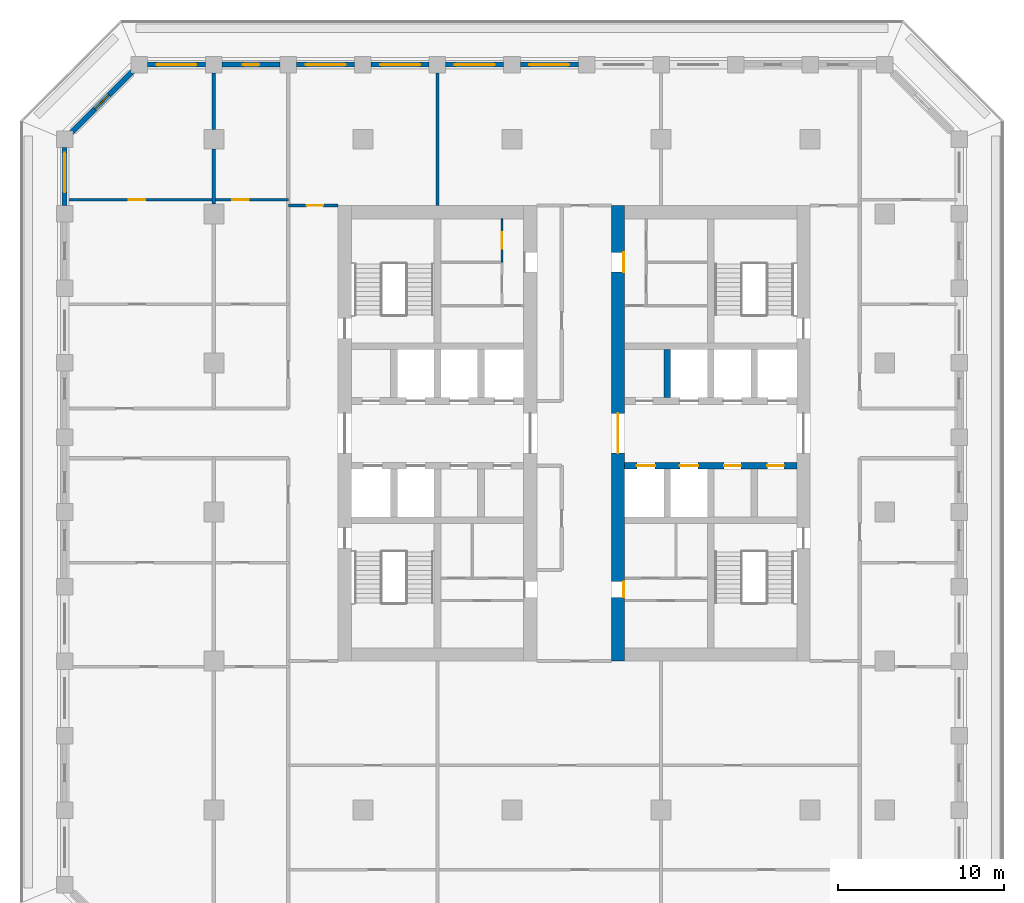
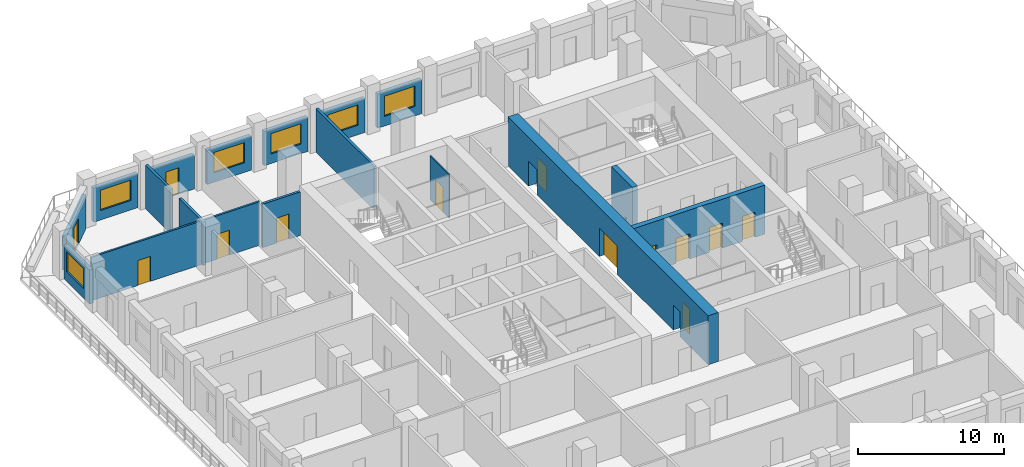
# One storey, part 6 of 16: 17 walls, 13 doors, 6 windows, 19 openings.
"""IFC4 building model written with IfcOpenShell, lengths in metres."""

from ifc_helpers import new_model, si_unit, direction, frame, frame_2d, origin, place, context, subcontext, project, spatial, rectangle, extrude, material, layer, layer_set, type_object, element, fill, save


model = new_model("IFC4")

# Units and contexts
model_context = context("Model", 3, precision=1e-05, world=origin(), true_north=direction((0.0, 1.0)))
body_context = subcontext(model_context, "Body", "Model", "MODEL_VIEW")
ifc_project = project(units=[si_unit("LENGTHUNIT", "METRE"), si_unit("AREAUNIT", "SQUARE_METRE"), si_unit("VOLUMEUNIT", "CUBIC_METRE"), si_unit("PLANEANGLEUNIT", "RADIAN"), si_unit("MASSUNIT", "GRAM", prefix="KILO")], contexts=[model_context])

# Site, building, storey
site_placement = place(None, origin())
site = spatial("IfcSite", under=ifc_project, at=site_placement, CompositionType="ELEMENT")
building_placement = place(site_placement, origin())
building = spatial("IfcBuilding", under=site, at=building_placement, Name="Corbel Stack Research Tower", CompositionType="ELEMENT")
storey_placement = place(building_placement, frame((0.0, 0.0, 177.300048828125)))
storey = spatial("IfcBuildingStorey", under=building, at=storey_placement, Name="L40", CompositionType="ELEMENT", Elevation=177.300048828125)

# Wall, openings, doors
ifc_material_1 = material(Name="Concrete C60/75", Category="concrete")
ifc_layer_1 = layer(ifc_material_1, 0.39990234375)
ifc_layer_set_1 = layer_set([ifc_layer_1], Name="Concrete C60/75")
wall_type_1 = type_object("IfcWallType", Name="CW-400-60", PredefinedType="SHEAR", material=ifc_layer_set_1)
wall_1_placement = place(storey_placement, frame((6.800048828125, 2.800048828125, 0.0), z_axis=(0.0, 0.0, 1.0), x_axis=(1.0, 0.0, 0.0)))
wall_1 = element("IfcWall", 1, at=wall_1_placement, inside=storey, type_object=wall_type_1, Name="East core wall, lobby south L40", PredefinedType="SHEAR", context=body_context, shape_type="SweptSolid", body=[
    extrude(rectangle(XDim=10.39990234375, YDim=0.39990234375, at=frame_2d((5.199951171875, 0.0))), origin(), (0.0, 0.0, 1.0), 4.099853515625),
])
opening_1_placement = place(wall_1_placement, frame((0.737548828125, 0.0, 0.0)))
opening_1 = element("IfcOpeningElement", 2, at=opening_1_placement, cuts=wall_1, Name="Opening LD-FS2", PredefinedType="OPENING", context=body_context, shape_type="SweptSolid", body=[
    extrude(rectangle(XDim=1.10009765625, YDim=2.10009765625, at=frame_2d((0.550048828125, 1.050048828125))), frame((0.0, 0.2099609375, 0.0), z_axis=(0.0, -1.0, 0.0), x_axis=(1.0, 0.0, 0.0)), (0.0, 0.0, 1.0), 0.419921875),
])
opening_2_placement = place(wall_1_placement, frame((3.33740234375, 0.0, 0.0)))
opening_2 = element("IfcOpeningElement", 3, at=opening_2_placement, cuts=wall_1, Name="Opening LD-GL2", PredefinedType="OPENING", context=body_context, shape_type="SweptSolid", body=[
    extrude(rectangle(XDim=1.10009765625, YDim=2.10009765625, at=frame_2d((0.550048828125, 1.050048828125))), frame((0.0, 0.2099609375, 0.0), z_axis=(0.0, -1.0, 0.0), x_axis=(1.0, 0.0, 0.0)), (0.0, 0.0, 1.0), 0.419921875),
])
opening_3_placement = place(wall_1_placement, frame((6.012451171875, 0.0, 0.0)))
opening_3 = element("IfcOpeningElement", 4, at=opening_3_placement, cuts=wall_1, Name="Opening CR-E24-S3", PredefinedType="OPENING", context=body_context, shape_type="SweptSolid", body=[
    extrude(rectangle(XDim=1.0, YDim=2.10009765625, at=frame_2d((0.5, 1.050048828125))), frame((0.0, 0.2099609375, 0.0), z_axis=(0.0, -1.0, 0.0), x_axis=(1.0, 0.0, 0.0)), (0.0, 0.0, 1.0), 0.419921875),
])
opening_4_placement = place(wall_1_placement, frame((8.612548828125, 0.0, 0.0)))
opening_4 = element("IfcOpeningElement", 5, at=opening_4_placement, cuts=wall_1, Name="Opening CR-E24-S4", PredefinedType="OPENING", context=body_context, shape_type="SweptSolid", body=[
    extrude(rectangle(XDim=1.0, YDim=2.10009765625, at=frame_2d((0.5, 1.050048828125))), frame((0.0, 0.2099609375, 0.0), z_axis=(0.0, -1.0, 0.0), x_axis=(1.0, 0.0, 0.0)), (0.0, 0.0, 1.0), 0.419921875),
])
ifc_material_2 = material(Name="Stainless steel landing door", Category="steel")
door_type_1 = type_object("IfcDoorType", Name="Lift landing door 1100 x 2100", OperationType="DOUBLE_DOOR_SLIDING", PredefinedType="DOOR", material=ifc_material_2)
door_1_placement = place(opening_1_placement, origin())
door_1 = element("IfcDoor", 6, at=door_1_placement, inside=storey, type_object=door_type_1, Name="Landing door FS2", OperationType="DOUBLE_DOOR_SLIDING", OverallHeight=2.10009765625, OverallWidth=1.10009765625, PredefinedType="DOOR", context=body_context, shape_type="SweptSolid", body=[
    extrude(rectangle(XDim=1.10009765625, YDim=2.10009765625, at=frame_2d((0.550048828125, 1.050048828125))), frame((0.0, 0.02490234375, 0.0), z_axis=(0.0, -1.0, 0.0), x_axis=(1.0, 0.0, 0.0)), (0.0, 0.0, 1.0), 0.050048828125),
])
fill(opening_1, door_1)
door_2_placement = place(opening_2_placement, origin())
door_2 = element("IfcDoor", 7, at=door_2_placement, inside=storey, type_object=door_type_1, Name="Landing door GL2", OperationType="DOUBLE_DOOR_SLIDING", OverallHeight=2.10009765625, OverallWidth=1.10009765625, PredefinedType="DOOR", context=body_context, shape_type="SweptSolid", body=[
    extrude(rectangle(XDim=1.10009765625, YDim=2.10009765625, at=frame_2d((0.550048828125, 1.050048828125))), frame((0.0, 0.02490234375, 0.0), z_axis=(0.0, -1.0, 0.0), x_axis=(1.0, 0.0, 0.0)), (0.0, 0.0, 1.0), 0.050048828125),
])
fill(opening_2, door_2)
ifc_material_3 = material(Name="Painted steel door", Category="steel")
door_type_2 = type_object("IfcDoorType", Name="Service door 1000 x 2100 FD60 left hand", OperationType="SINGLE_SWING_LEFT", PredefinedType="DOOR", material=ifc_material_3)
door_3_placement = place(opening_3_placement, origin())
door_3 = element("IfcDoor", 8, at=door_3_placement, inside=storey, type_object=door_type_2, Name="Records store door E core", OperationType="SINGLE_SWING_LEFT", OverallHeight=2.10009765625, OverallWidth=1.0, PredefinedType="DOOR", context=body_context, shape_type="SweptSolid", body=[
    extrude(rectangle(XDim=1.0, YDim=2.10009765625, at=frame_2d((0.5, 1.050048828125))), frame((0.0, 0.02490234375, 0.0), z_axis=(0.0, -1.0, 0.0), x_axis=(1.0, 0.0, 0.0)), (0.0, 0.0, 1.0), 0.050048828125),
])
fill(opening_3, door_3)
ifc_material_4 = material(Name="Painted steel door", Category="steel")
door_type_3 = type_object("IfcDoorType", Name="Service door 1000 x 2100 FD60 right hand", OperationType="SINGLE_SWING_RIGHT", PredefinedType="DOOR", material=ifc_material_4)
door_4_placement = place(opening_4_placement, origin())
door_4 = element("IfcDoor", 9, at=door_4_placement, inside=storey, type_object=door_type_3, Name="Electrical room door E core", OperationType="SINGLE_SWING_RIGHT", OverallHeight=2.10009765625, OverallWidth=1.0, PredefinedType="DOOR", context=body_context, shape_type="SweptSolid", body=[
    extrude(rectangle(XDim=1.0, YDim=2.10009765625, at=frame_2d((0.5, 1.050048828125))), frame((0.0, 0.02490234375, 0.0), z_axis=(0.0, -1.0, 0.0), x_axis=(1.0, 0.0, 0.0)), (0.0, 0.0, 1.0), 0.050048828125),
])
fill(opening_4, door_4)

# Wall
wall_2_placement = place(storey_placement, frame((9.375, 6.89990234375, 0.0), z_axis=(0.0, 0.0, 1.0), x_axis=(0.0, 1.0, 0.0)))
element("IfcWall", 10, at=wall_2_placement, inside=storey, type_object=wall_type_1, Name="East core wall, north shaft 1 L40", PredefinedType="SHEAR", context=body_context, shape_type="SweptSolid", body=[
    extrude(rectangle(XDim=2.900146484375, YDim=0.39990234375, at=frame_2d((1.4501953125, 0.0))), origin(), (0.0, 0.0, 1.0), 4.099853515625),
])

# Wall, openings, doors
ifc_material_5 = material(Name="Concrete C60/75", Category="concrete")
ifc_layer_2 = layer(ifc_material_5, 0.800048828125)
ifc_layer_set_2 = layer_set([ifc_layer_2], Name="Concrete C60/75")
wall_type_2 = type_object("IfcWallType", Name="CW-800-60", PredefinedType="SHEAR", material=ifc_layer_set_2)
wall_3_placement = place(storey_placement, frame((6.39990234375, -9.0, 0.0), z_axis=(0.0, 0.0, 1.0), x_axis=(0.0, 1.0, 0.0)))
wall_3 = element("IfcWall", 11, at=wall_3_placement, inside=storey, type_object=wall_type_2, Name="East core wall, west face L40", PredefinedType="SHEAR", context=body_context, shape_type="SweptSolid", body=[
    extrude(rectangle(XDim=27.5, YDim=0.800048828125, at=frame_2d((13.75, 0.0))), origin(), (0.0, 0.0, 1.0), 4.099853515625),
])
opening_5_placement = place(wall_3_placement, frame((12.550048828125, 0.0, 0.0)))
opening_5 = element("IfcOpeningElement", 12, at=opening_5_placement, cuts=wall_3, Name="Opening CD-E-W", PredefinedType="OPENING", context=body_context, shape_type="SweptSolid", body=[
    extrude(rectangle(XDim=2.39990234375, YDim=2.39990234375, at=frame_2d((1.199951171875, 1.199951171875))), frame((0.0, 0.409912109375, 0.0), z_axis=(0.0, -1.0, 0.0), x_axis=(1.0, 0.0, 0.0)), (0.0, 0.0, 1.0), 0.820068359375),
])
opening_6_placement = place(wall_3_placement, frame((3.85009765625, 0.0, 0.0)))
opening_6 = element("IfcOpeningElement", 13, at=opening_6_placement, cuts=wall_3, Name="Opening CR-E24-W1-950", PredefinedType="OPENING", context=body_context, shape_type="SweptSolid", body=[
    extrude(rectangle(XDim=0.949951171875, YDim=2.10009765625, at=frame_2d((0.47509765625, 1.050048828125))), frame((0.0, 0.409912109375, 0.0), z_axis=(0.0, -1.0, 0.0), x_axis=(1.0, 0.0, 0.0)), (0.0, 0.0, 1.0), 0.820068359375),
])
opening_7_placement = place(wall_3_placement, frame((23.47509765625, 0.0, 0.0)))
opening_7 = element("IfcOpeningElement", 14, at=opening_7_placement, cuts=wall_3, Name="Opening CR-E24-R2-1200", PredefinedType="OPENING", context=body_context, shape_type="SweptSolid", body=[
    extrude(rectangle(XDim=1.199951171875, YDim=2.10009765625, at=frame_2d((0.60009765625, 1.050048828125))), frame((0.0, 0.409912109375, 0.0), z_axis=(0.0, -1.0, 0.0), x_axis=(1.0, 0.0, 0.0)), (0.0, 0.0, 1.0), 0.820068359375),
])
ifc_material_6 = material(Name="Painted steel fire door", Category="steel")
door_type_4 = type_object("IfcDoorType", Name="Lobby door pair 2400 x 2400 FD30S", OperationType="DOUBLE_DOOR_DOUBLE_SWING", PredefinedType="DOOR", material=ifc_material_6)
door_5_placement = place(opening_5_placement, origin())
door_5 = element("IfcDoor", 15, at=door_5_placement, inside=storey, type_object=door_type_4, Name="Lift lobby door E core W", OperationType="DOUBLE_DOOR_DOUBLE_SWING", OverallHeight=2.39990234375, OverallWidth=2.39990234375, PredefinedType="DOOR", context=body_context, shape_type="SweptSolid", body=[
    extrude(rectangle(XDim=2.39990234375, YDim=2.39990234375, at=frame_2d((1.199951171875, 1.199951171875))), frame((0.0, 0.02490234375, 0.0), z_axis=(0.0, -1.0, 0.0), x_axis=(1.0, 0.0, 0.0)), (0.0, 0.0, 1.0), 0.050048828125),
])
fill(opening_5, door_5)
ifc_material_7 = material(Name="Painted steel door", Category="steel")
door_type_5 = type_object("IfcDoorType", Name="Service door 1200 x 2100 FD30 left hand", OperationType="SINGLE_SWING_LEFT", PredefinedType="DOOR", material=ifc_material_7)
door_6_placement = place(opening_7_placement, origin())
door_6 = element("IfcDoor", 16, at=door_6_placement, inside=storey, type_object=door_type_5, Name="Service passage door E core", OperationType="SINGLE_SWING_LEFT", OverallHeight=2.10009765625, OverallWidth=1.199951171875, PredefinedType="DOOR", context=body_context, shape_type="SweptSolid", body=[
    extrude(rectangle(XDim=1.199951171875, YDim=2.10009765625, at=frame_2d((0.60009765625, 1.050048828125))), frame((0.0, -0.3251953125, 0.0), z_axis=(0.0, -1.0, 0.0), x_axis=(1.0, 0.0, 0.0)), (0.0, 0.0, 1.0), 0.050048828125),
])
fill(opening_7, door_6)
ifc_material_8 = material(Name="Painted timber door", Category="wood")
door_type_6 = type_object("IfcDoorType", Name="WC door 950 x 2100 right hand", OperationType="SINGLE_SWING_RIGHT", PredefinedType="DOOR", material=ifc_material_8)
door_7_placement = place(opening_6_placement, origin())
door_7 = element("IfcDoor", 17, at=door_7_placement, inside=storey, type_object=door_type_6, Name="WC lobby door E core", OperationType="SINGLE_SWING_RIGHT", OverallHeight=2.10009765625, OverallWidth=0.949951171875, PredefinedType="DOOR", context=body_context, shape_type="SweptSolid", body=[
    extrude(rectangle(XDim=0.949951171875, YDim=2.10009765625, at=frame_2d((0.47509765625, 1.050048828125))), frame((0.0, -0.3251953125, 0.0), z_axis=(0.0, -1.0, 0.0), x_axis=(1.0, 0.0, 0.0)), (0.0, 0.0, 1.0), 0.050048828125),
])
fill(opening_6, door_7)

# Wall, opening, door
ifc_material_9 = material(Name="Gypsum board")
ifc_layer_3 = layer(ifc_material_9, 0.10009765625)
ifc_layer_set_3 = layer_set([ifc_layer_3], Name="Gypsum board")
wall_type_3 = type_object("IfcWallType", Name="Core partition 100", PredefinedType="PARTITIONING", material=ifc_layer_set_3)
wall_4_placement = place(storey_placement, frame((-0.60009765625, 15.074951171875, 0.0), z_axis=(0.0, 0.0, 1.0), x_axis=(0.0, 1.0, 0.0)))
wall_4 = element("IfcWall", 18, at=wall_4_placement, inside=storey, type_object=wall_type_3, Name="Core partition W", PredefinedType="PARTITIONING", context=body_context, shape_type="SweptSolid", body=[
    extrude(rectangle(XDim=2.625, YDim=0.10009765625, at=frame_2d((1.3125, 0.0))), origin(), (0.0, 0.0, 1.0), 3.64990234375),
])
opening_8_placement = place(wall_4_placement, frame((0.8125, 0.0, 0.0)))
opening_8 = element("IfcOpeningElement", 19, at=opening_8_placement, cuts=wall_4, Name="Opening CR-W24-R4-1000", PredefinedType="OPENING", context=body_context, shape_type="SweptSolid", body=[
    extrude(rectangle(XDim=1.0, YDim=2.10009765625, at=frame_2d((0.5, 1.050048828125))), frame((0.0, 0.06005859375, 0.0), z_axis=(0.0, -1.0, 0.0), x_axis=(1.0, 0.0, 0.0)), (0.0, 0.0, 1.0), 0.1201171875),
])
ifc_material_10 = material(Name="Painted steel door", Category="steel")
door_type_7 = type_object("IfcDoorType", Name="Service door 1000 x 2100 FD30 right hand", OperationType="SINGLE_SWING_RIGHT", PredefinedType="DOOR", material=ifc_material_10)
door_8_placement = place(opening_8_placement, origin())
door_8 = element("IfcDoor", 20, at=door_8_placement, inside=storey, type_object=door_type_7, Name="Copy and supply store door W core", OperationType="SINGLE_SWING_RIGHT", OverallHeight=2.10009765625, OverallWidth=1.0, PredefinedType="DOOR", context=body_context, shape_type="SweptSolid", body=[
    extrude(rectangle(XDim=1.0, YDim=2.10009765625, at=frame_2d((0.5, 1.050048828125))), frame((0.0, 0.02490234375, 0.0), z_axis=(0.0, -1.0, 0.0), x_axis=(1.0, 0.0, 0.0)), (0.0, 0.0, 1.0), 0.050048828125),
])
fill(opening_8, door_8)

# Walls
ifc_material_11 = material(Name="Fire-rated gypsum board partition on steel studs", Category="steel")
ifc_layer_4 = layer(ifc_material_11, 0.199951171875)
ifc_layer_set_4 = layer_set([ifc_layer_4], Name="Fire-rated gypsum board partition on steel studs")
wall_type_4 = type_object("IfcWallType", Name="Fire-rated partition 200 EI 60", PredefinedType="PARTITIONING", material=ifc_layer_set_4)
wall_5_placement = place(storey_placement, frame((-18.0, 18.60009765625, 0.0), z_axis=(0.0, 0.0, 1.0), x_axis=(0.0, 1.0, 0.0)))
element("IfcWall", 21, at=wall_5_placement, inside=storey, type_object=wall_type_4, Name="Partition L40-007", PredefinedType="PARTITIONING", context=body_context, shape_type="SweptSolid", body=[
    extrude(rectangle(XDim=3.2998046875, YDim=0.199951171875, at=frame_2d((1.64990234375, 0.0))), origin(), (0.0, 0.0, 1.0), 3.64990234375),
])
wall_6_placement = place(storey_placement, frame((-18.0, 23.10009765625, 0.0), z_axis=(0.0, 0.0, 1.0), x_axis=(0.0, 1.0, 0.0)))
element("IfcWall", 22, at=wall_6_placement, inside=storey, type_object=wall_type_4, Name="Partition L40-008", PredefinedType="PARTITIONING", context=body_context, shape_type="SweptSolid", body=[
    extrude(rectangle(XDim=3.39990234375, YDim=0.199951171875, at=frame_2d((1.699951171875, 0.0))), origin(), (0.0, 0.0, 1.0), 3.64990234375),
])
wall_7_placement = place(storey_placement, frame((-4.5, 18.5, 0.0), z_axis=(0.0, 0.0, 1.0), x_axis=(0.0, 1.0, 0.0)))
element("IfcWall", 23, at=wall_7_placement, inside=storey, type_object=wall_type_4, Name="Partition L40-012", PredefinedType="PARTITIONING", context=body_context, shape_type="SweptSolid", body=[
    extrude(rectangle(XDim=8.0, YDim=0.199951171875, at=frame_2d((4.0, 0.0))), origin(), (0.0, 0.0, 1.0), 3.64990234375),
])

# Wall, opening, door
wall_8_placement = place(storey_placement, frame((-13.5, 18.5, 0.0), z_axis=(0.0, 0.0, 1.0), x_axis=(1.0, 0.0, 0.0)))
wall_8 = element("IfcWall", 24, at=wall_8_placement, inside=storey, type_object=wall_type_4, Name="Partition L40-041", PredefinedType="PARTITIONING", context=body_context, shape_type="SweptSolid", body=[
    extrude(rectangle(XDim=3.0, YDim=0.199951171875, at=frame_2d((1.5, 0.0))), origin(), (0.0, 0.0, 1.0), 3.64990234375),
])
opening_9_placement = place(wall_8_placement, frame((1.10009765625, 0.0, 0.0)))
opening_9 = element("IfcOpeningElement", 25, at=opening_9_placement, cuts=wall_8, Name="Opening B5V2-025", PredefinedType="OPENING", context=body_context, shape_type="SweptSolid", body=[
    extrude(rectangle(XDim=1.0, YDim=2.10009765625, at=frame_2d((0.5, 1.050048828125))), frame((0.0, 0.10986328125, 0.0), z_axis=(0.0, -1.0, 0.0), x_axis=(1.0, 0.0, 0.0)), (0.0, 0.0, 1.0), 0.219970703125),
])
ifc_material_12 = material(Name="Painted steel fire door", Category="steel")
door_type_8 = type_object("IfcDoorType", Name="Fire door FD30S 1000 x 2100", OperationType="NOTDEFINED", PredefinedType="DOOR", material=ifc_material_12)
door_9_placement = place(opening_9_placement, origin())
door_9 = element("IfcDoor", 26, at=door_9_placement, inside=storey, type_object=door_type_8, Name="Door B5V2-025", OperationType="SINGLE_SWING_RIGHT", OverallHeight=2.10009765625, OverallWidth=1.0, PredefinedType="DOOR", context=body_context, shape_type="SweptSolid", body=[
    extrude(rectangle(XDim=1.0, YDim=2.10009765625, at=frame_2d((0.5, 1.050048828125))), frame((0.0, 0.02490234375, 0.0), z_axis=(0.0, -1.0, 0.0), x_axis=(1.0, 0.0, 0.0)), (0.0, 0.0, 1.0), 0.050048828125),
])
fill(opening_9, door_9)

# Wall, openings, doors
ifc_material_13 = material(Name="Gypsum board partition on steel studs", Category="steel")
ifc_layer_5 = layer(ifc_material_13, 0.14990234375)
ifc_layer_set_5 = layer_set([ifc_layer_5], Name="Gypsum board partition on steel studs")
wall_type_5 = type_object("IfcWallType", Name="Partition 150", PredefinedType="PARTITIONING", material=ifc_layer_set_5)
wall_9_placement = place(storey_placement, frame((-26.85009765625, 18.85009765625, 0.0), z_axis=(0.0, 0.0, 1.0), x_axis=(1.0, 0.0, 0.0)))
wall_9 = element("IfcWall", 27, at=wall_9_placement, inside=storey, type_object=wall_type_5, Name="Partition L40-044", PredefinedType="PARTITIONING", context=body_context, shape_type="SweptSolid", body=[
    extrude(rectangle(XDim=13.35009765625, YDim=0.14990234375, at=frame_2d((6.675048828125, 0.0))), origin(), (0.0, 0.0, 1.0), 3.64990234375),
])
opening_10_placement = place(wall_9_placement, frame((3.699951171875, 0.0, 0.0)))
opening_10 = element("IfcOpeningElement", 28, at=opening_10_placement, cuts=wall_9, Name="Opening B5V2-028", PredefinedType="OPENING", context=body_context, shape_type="SweptSolid", body=[
    extrude(rectangle(XDim=1.0, YDim=2.10009765625, at=frame_2d((0.5, 1.050048828125))), frame((0.0, 0.0849609375, 0.0), z_axis=(0.0, -1.0, 0.0), x_axis=(1.0, 0.0, 0.0)), (0.0, 0.0, 1.0), 0.169921875),
])
opening_11_placement = place(wall_9_placement, frame((9.949951171875, 0.0, 0.0)))
opening_11 = element("IfcOpeningElement", 29, at=opening_11_placement, cuts=wall_9, Name="Opening B5V2-029", PredefinedType="OPENING", context=body_context, shape_type="SweptSolid", body=[
    extrude(rectangle(XDim=1.0, YDim=2.10009765625, at=frame_2d((0.5, 1.050048828125))), frame((0.0, 0.0849609375, 0.0), z_axis=(0.0, -1.0, 0.0), x_axis=(1.0, 0.0, 0.0)), (0.0, 0.0, 1.0), 0.169921875),
])
ifc_material_14 = material(Name="Painted timber door", Category="wood")
door_type_9 = type_object("IfcDoorType", Name="Single door 1000 x 2100", OperationType="NOTDEFINED", PredefinedType="DOOR", material=ifc_material_14)
door_10_placement = place(opening_10_placement, origin())
door_10 = element("IfcDoor", 30, at=door_10_placement, inside=storey, type_object=door_type_9, Name="Door B5V2-028", OperationType="SINGLE_SWING_LEFT", OverallHeight=2.10009765625, OverallWidth=1.0, PredefinedType="DOOR", context=body_context, shape_type="SweptSolid", body=[
    extrude(rectangle(XDim=1.0, YDim=2.10009765625, at=frame_2d((0.5, 1.050048828125))), frame((0.0, 0.02490234375, 0.0), z_axis=(0.0, -1.0, 0.0), x_axis=(1.0, 0.0, 0.0)), (0.0, 0.0, 1.0), 0.050048828125),
])
fill(opening_10, door_10)
door_11_placement = place(opening_11_placement, origin())
door_11 = element("IfcDoor", 31, at=door_11_placement, inside=storey, type_object=door_type_9, Name="Door B5V2-029", OperationType="SINGLE_SWING_RIGHT", OverallHeight=2.10009765625, OverallWidth=1.0, PredefinedType="DOOR", context=body_context, shape_type="SweptSolid", body=[
    extrude(rectangle(XDim=1.0, YDim=2.10009765625, at=frame_2d((0.5, 1.050048828125))), frame((0.0, 0.02490234375, 0.0), z_axis=(0.0, -1.0, 0.0), x_axis=(1.0, 0.0, 0.0)), (0.0, 0.0, 1.0), 0.050048828125),
])
fill(opening_11, door_11)

# Wall, opening, window
ifc_material_15 = material(Name="Concrete C45/55", Category="concrete")
ifc_layer_6 = layer(ifc_material_15, 0.300048828125)
ifc_layer_set_6 = layer_set([ifc_layer_6], Name="Concrete C45/55")
wall_type_6 = type_object("IfcWallType", Name="Terracotta-faced concrete wall 300", PredefinedType="SOLIDWALL", material=ifc_layer_set_6)
wall_10_placement = place(storey_placement, frame((0.5, 27.0, 0.0), z_axis=(0.0, 0.0, 1.0), x_axis=(1.0, 0.0, 0.0)))
wall_10 = element("IfcWall", 32, at=wall_10_placement, inside=storey, type_object=wall_type_6, Name="Facade wall L40 N05", PredefinedType="SOLIDWALL", context=body_context, shape_type="SweptSolid", body=[
    extrude(rectangle(XDim=3.5, YDim=0.300048828125, at=frame_2d((1.75, 0.0))), origin(), (0.0, 0.0, 1.0), 2.849853515625),
])
opening_12_placement = place(wall_10_placement, frame((0.550048828125, 0.0, 0.800048828125)))
opening_12 = element("IfcOpeningElement", 33, at=opening_12_placement, cuts=wall_10, Name="Opening W1", PredefinedType="OPENING", context=body_context, shape_type="SweptSolid", body=[
    extrude(rectangle(XDim=2.39990234375, YDim=1.699951171875, at=frame_2d((1.199951171875, 0.85009765625))), frame((0.0, 0.159912109375, 0.0), z_axis=(0.0, -1.0, 0.0), x_axis=(1.0, 0.0, 0.0)), (0.0, 0.0, 1.0), 0.320068359375),
])
ifc_material_16 = material(Name="Aluminium frame, clear double glazing", Category="aluminium")
window_type = type_object("IfcWindowType", Name="Window W1 2400 x 1700", PartitioningType="SINGLE_PANEL", PredefinedType="WINDOW", material=ifc_material_16)
window_1_placement = place(opening_12_placement, origin())
window_1 = element("IfcWindow", 34, at=window_1_placement, inside=storey, type_object=window_type, Name="Window W1 L40 N05", OverallHeight=1.699951171875, OverallWidth=2.39990234375, PartitioningType="SINGLE_PANEL", PredefinedType="WINDOW", context=body_context, shape_type="SweptSolid", body=[
    extrude(rectangle(XDim=2.39990234375, YDim=1.699951171875, at=frame_2d((1.199951171875, 0.85009765625))), frame((0.0, 0.030029296875, 0.0), z_axis=(0.0, -1.0, 0.0), x_axis=(1.0, 0.0, 0.0)), (0.0, 0.0, 1.0), 0.06005859375),
])
fill(opening_12, window_1)

wall_11_placement = place(storey_placement, frame((-4.0, 27.0, 0.0), z_axis=(0.0, 0.0, 1.0), x_axis=(1.0, 0.0, 0.0)))
wall_11 = element("IfcWall", 35, at=wall_11_placement, inside=storey, type_object=wall_type_6, Name="Facade wall L40 N06", PredefinedType="SOLIDWALL", context=body_context, shape_type="SweptSolid", body=[
    extrude(rectangle(XDim=3.5, YDim=0.300048828125, at=frame_2d((1.75, 0.0))), origin(), (0.0, 0.0, 1.0), 2.849853515625),
])
opening_13_placement = place(wall_11_placement, frame((0.550048828125, 0.0, 0.800048828125)))
opening_13 = element("IfcOpeningElement", 36, at=opening_13_placement, cuts=wall_11, Name="Opening W1", PredefinedType="OPENING", context=body_context, shape_type="SweptSolid", body=[
    extrude(rectangle(XDim=2.39990234375, YDim=1.699951171875, at=frame_2d((1.199951171875, 0.85009765625))), frame((0.0, 0.159912109375, 0.0), z_axis=(0.0, -1.0, 0.0), x_axis=(1.0, 0.0, 0.0)), (0.0, 0.0, 1.0), 0.320068359375),
])
window_2_placement = place(opening_13_placement, origin())
window_2 = element("IfcWindow", 37, at=window_2_placement, inside=storey, type_object=window_type, Name="Window W1 L40 N06", OverallHeight=1.699951171875, OverallWidth=2.39990234375, PartitioningType="SINGLE_PANEL", PredefinedType="WINDOW", context=body_context, shape_type="SweptSolid", body=[
    extrude(rectangle(XDim=2.39990234375, YDim=1.699951171875, at=frame_2d((1.199951171875, 0.85009765625))), frame((0.0, 0.030029296875, 0.0), z_axis=(0.0, -1.0, 0.0), x_axis=(1.0, 0.0, 0.0)), (0.0, 0.0, 1.0), 0.06005859375),
])
fill(opening_13, window_2)

wall_12_placement = place(storey_placement, frame((-8.5, 27.0, 0.0), z_axis=(0.0, 0.0, 1.0), x_axis=(1.0, 0.0, 0.0)))
wall_12 = element("IfcWall", 38, at=wall_12_placement, inside=storey, type_object=wall_type_6, Name="Facade wall L40 N07", PredefinedType="SOLIDWALL", context=body_context, shape_type="SweptSolid", body=[
    extrude(rectangle(XDim=3.5, YDim=0.300048828125, at=frame_2d((1.75, 0.0))), origin(), (0.0, 0.0, 1.0), 2.849853515625),
])
opening_14_placement = place(wall_12_placement, frame((0.550048828125, 0.0, 0.800048828125)))
opening_14 = element("IfcOpeningElement", 39, at=opening_14_placement, cuts=wall_12, Name="Opening W1", PredefinedType="OPENING", context=body_context, shape_type="SweptSolid", body=[
    extrude(rectangle(XDim=2.39990234375, YDim=1.699951171875, at=frame_2d((1.199951171875, 0.85009765625))), frame((0.0, 0.159912109375, 0.0), z_axis=(0.0, -1.0, 0.0), x_axis=(1.0, 0.0, 0.0)), (0.0, 0.0, 1.0), 0.320068359375),
])
window_3_placement = place(opening_14_placement, origin())
window_3 = element("IfcWindow", 40, at=window_3_placement, inside=storey, type_object=window_type, Name="Window W1 L40 N07", OverallHeight=1.699951171875, OverallWidth=2.39990234375, PartitioningType="SINGLE_PANEL", PredefinedType="WINDOW", context=body_context, shape_type="SweptSolid", body=[
    extrude(rectangle(XDim=2.39990234375, YDim=1.699951171875, at=frame_2d((1.199951171875, 0.85009765625))), frame((0.0, 0.030029296875, 0.0), z_axis=(0.0, -1.0, 0.0), x_axis=(1.0, 0.0, 0.0)), (0.0, 0.0, 1.0), 0.06005859375),
])
fill(opening_14, window_3)

wall_13_placement = place(storey_placement, frame((-13.0, 27.0, 0.0), z_axis=(0.0, 0.0, 1.0), x_axis=(1.0, 0.0, 0.0)))
wall_13 = element("IfcWall", 41, at=wall_13_placement, inside=storey, type_object=wall_type_6, Name="Facade wall L40 N08", PredefinedType="SOLIDWALL", context=body_context, shape_type="SweptSolid", body=[
    extrude(rectangle(XDim=3.5, YDim=0.300048828125, at=frame_2d((1.75, 0.0))), origin(), (0.0, 0.0, 1.0), 2.849853515625),
])
opening_15_placement = place(wall_13_placement, frame((0.550048828125, 0.0, 0.800048828125)))
opening_15 = element("IfcOpeningElement", 42, at=opening_15_placement, cuts=wall_13, Name="Opening W1", PredefinedType="OPENING", context=body_context, shape_type="SweptSolid", body=[
    extrude(rectangle(XDim=2.39990234375, YDim=1.699951171875, at=frame_2d((1.199951171875, 0.85009765625))), frame((0.0, 0.159912109375, 0.0), z_axis=(0.0, -1.0, 0.0), x_axis=(1.0, 0.0, 0.0)), (0.0, 0.0, 1.0), 0.320068359375),
])
window_4_placement = place(opening_15_placement, origin())
window_4 = element("IfcWindow", 43, at=window_4_placement, inside=storey, type_object=window_type, Name="Window W1 L40 N08", OverallHeight=1.699951171875, OverallWidth=2.39990234375, PartitioningType="SINGLE_PANEL", PredefinedType="WINDOW", context=body_context, shape_type="SweptSolid", body=[
    extrude(rectangle(XDim=2.39990234375, YDim=1.699951171875, at=frame_2d((1.199951171875, 0.85009765625))), frame((0.0, 0.030029296875, 0.0), z_axis=(0.0, -1.0, 0.0), x_axis=(1.0, 0.0, 0.0)), (0.0, 0.0, 1.0), 0.06005859375),
])
fill(opening_15, window_4)

# Wall, opening, door
wall_14_placement = place(storey_placement, frame((-17.5, 27.0, 0.0), z_axis=(0.0, 0.0, 1.0), x_axis=(1.0, 0.0, 0.0)))
wall_14 = element("IfcWall", 44, at=wall_14_placement, inside=storey, type_object=wall_type_6, Name="Facade wall L40 N09", PredefinedType="SOLIDWALL", context=body_context, shape_type="SweptSolid", body=[
    extrude(rectangle(XDim=3.5, YDim=0.300048828125, at=frame_2d((1.75, 0.0))), origin(), (0.0, 0.0, 1.0), 2.849853515625),
])
opening_16_placement = place(wall_14_placement, frame((1.25, 0.0, 0.0)))
opening_16 = element("IfcOpeningElement", 45, at=opening_16_placement, cuts=wall_14, Name="Opening L40-B08", PredefinedType="OPENING", context=body_context, shape_type="SweptSolid", body=[
    extrude(rectangle(XDim=1.0, YDim=2.199951171875, at=frame_2d((0.5, 1.10009765625))), frame((0.0, 0.159912109375, 0.0), z_axis=(0.0, -1.0, 0.0), x_axis=(1.0, 0.0, 0.0)), (0.0, 0.0, 1.0), 0.320068359375),
])
ifc_material_17 = material(Name="Aluminium frame, clear double glazing", Category="aluminium")
door_type_10 = type_object("IfcDoorType", Name="Balcony door BD1 1000 x 2200", OperationType="NOTDEFINED", PredefinedType="DOOR", material=ifc_material_17)
door_12_placement = place(opening_16_placement, origin())
door_12 = element("IfcDoor", 46, at=door_12_placement, inside=storey, type_object=door_type_10, Name="Balcony door L40-B08", OperationType="SINGLE_SWING_LEFT", OverallHeight=2.199951171875, OverallWidth=1.0, PredefinedType="DOOR", context=body_context, shape_type="SweptSolid", body=[
    extrude(rectangle(XDim=1.0, YDim=2.199951171875, at=frame_2d((0.5, 1.10009765625))), frame((0.0, 0.02490234375, 0.0), z_axis=(0.0, -1.0, 0.0), x_axis=(1.0, 0.0, 0.0)), (0.0, 0.0, 1.0), 0.050048828125),
])
fill(opening_16, door_12)

# Wall, opening, window
wall_15_placement = place(storey_placement, frame((-22.0, 27.0, 0.0), z_axis=(0.0, 0.0, 1.0), x_axis=(1.0, 0.0, 0.0)))
wall_15 = element("IfcWall", 47, at=wall_15_placement, inside=storey, type_object=wall_type_6, Name="Facade wall L40 N10", PredefinedType="SOLIDWALL", context=body_context, shape_type="SweptSolid", body=[
    extrude(rectangle(XDim=3.5, YDim=0.300048828125, at=frame_2d((1.75, 0.0))), origin(), (0.0, 0.0, 1.0), 2.849853515625),
])
opening_17_placement = place(wall_15_placement, frame((0.550048828125, 0.0, 0.800048828125)))
opening_17 = element("IfcOpeningElement", 48, at=opening_17_placement, cuts=wall_15, Name="Opening W1", PredefinedType="OPENING", context=body_context, shape_type="SweptSolid", body=[
    extrude(rectangle(XDim=2.39990234375, YDim=1.699951171875, at=frame_2d((1.199951171875, 0.85009765625))), frame((0.0, 0.159912109375, 0.0), z_axis=(0.0, -1.0, 0.0), x_axis=(1.0, 0.0, 0.0)), (0.0, 0.0, 1.0), 0.320068359375),
])
window_5_placement = place(opening_17_placement, origin())
window_5 = element("IfcWindow", 49, at=window_5_placement, inside=storey, type_object=window_type, Name="Window W1 L40 N10", OverallHeight=1.699951171875, OverallWidth=2.39990234375, PartitioningType="SINGLE_PANEL", PredefinedType="WINDOW", context=body_context, shape_type="SweptSolid", body=[
    extrude(rectangle(XDim=2.39990234375, YDim=1.699951171875, at=frame_2d((1.199951171875, 0.85009765625))), frame((0.0, 0.030029296875, 0.0), z_axis=(0.0, -1.0, 0.0), x_axis=(1.0, 0.0, 0.0)), (0.0, 0.0, 1.0), 0.06005859375),
])
fill(opening_17, window_5)

# Wall, opening, door
wall_16_placement = place(storey_placement, frame((-26.606201171875, 22.893798828125, 0.0), z_axis=(0.0, 0.0, 1.0), x_axis=(0.707106781187, 0.707106781187, 0.0)))
wall_16 = element("IfcWall", 50, at=wall_16_placement, inside=storey, type_object=wall_type_6, Name="Facade wall L40 NW01", PredefinedType="SOLIDWALL", context=body_context, shape_type="SweptSolid", body=[
    extrude(rectangle(XDim=5.250244140625, YDim=0.300048828125, at=frame_2d((2.625, 0.0))), origin(), (0.0, 0.0, 1.0), 2.849853515625),
])
opening_18_placement = place(wall_16_placement, frame((2.02490234375, 0.0, 0.0)))
opening_18 = element("IfcOpeningElement", 51, at=opening_18_placement, cuts=wall_16, Name="Opening L40-B09", PredefinedType="OPENING", context=body_context, shape_type="SweptSolid", body=[
    extrude(rectangle(XDim=1.199951171875, YDim=2.199951171875, at=frame_2d((0.60009765625, 1.10009765625))), frame((0.0, 0.159912109375, 0.0), z_axis=(0.0, -1.0, 0.0), x_axis=(1.0, 0.0, 0.0)), (0.0, 0.0, 1.0), 0.320068359375),
])
ifc_material_18 = material(Name="Aluminium frame, clear double glazing", Category="aluminium")
door_type_11 = type_object("IfcDoorType", Name="Balcony door BD2 1200 x 2200", OperationType="NOTDEFINED", PredefinedType="DOOR", material=ifc_material_18)
door_13_placement = place(opening_18_placement, origin())
door_13 = element("IfcDoor", 52, at=door_13_placement, inside=storey, type_object=door_type_11, Name="Balcony door L40-B09", OperationType="SINGLE_SWING_LEFT", OverallHeight=2.199951171875, OverallWidth=1.199951171875, PredefinedType="DOOR", context=body_context, shape_type="SweptSolid", body=[
    extrude(rectangle(XDim=1.199951171875, YDim=2.199951171875, at=frame_2d((0.60009765625, 1.10009765625))), frame((0.0, 0.02490234375, 0.0), z_axis=(0.0, -1.0, 0.0), x_axis=(1.0, 0.0, 0.0)), (0.0, 0.0, 1.0), 0.050048828125),
])
fill(opening_18, door_13)

# Wall, opening, window
wall_17_placement = place(storey_placement, frame((-27.0, 18.5, 0.0), z_axis=(0.0, 0.0, 1.0), x_axis=(0.0, 1.0, 0.0)))
wall_17 = element("IfcWall", 53, at=wall_17_placement, inside=storey, type_object=wall_type_6, Name="Facade wall L40 W01", PredefinedType="SOLIDWALL", context=body_context, shape_type="SweptSolid", body=[
    extrude(rectangle(XDim=3.5, YDim=0.300048828125, at=frame_2d((1.75, 0.0))), origin(), (0.0, 0.0, 1.0), 2.849853515625),
])
opening_19_placement = place(wall_17_placement, frame((0.78759765625, 0.0, 0.800048828125)))
opening_19 = element("IfcOpeningElement", 54, at=opening_19_placement, cuts=wall_17, Name="Opening W1", PredefinedType="OPENING", context=body_context, shape_type="SweptSolid", body=[
    extrude(rectangle(XDim=2.39990234375, YDim=1.699951171875, at=frame_2d((1.199951171875, 0.85009765625))), frame((0.0, 0.159912109375, 0.0), z_axis=(0.0, -1.0, 0.0), x_axis=(1.0, 0.0, 0.0)), (0.0, 0.0, 1.0), 0.320068359375),
])
window_6_placement = place(opening_19_placement, origin())
window_6 = element("IfcWindow", 55, at=window_6_placement, inside=storey, type_object=window_type, Name="Window W1 L40 W01", OverallHeight=1.699951171875, OverallWidth=2.39990234375, PartitioningType="SINGLE_PANEL", PredefinedType="WINDOW", context=body_context, shape_type="SweptSolid", body=[
    extrude(rectangle(XDim=2.39990234375, YDim=1.699951171875, at=frame_2d((1.199951171875, 0.85009765625))), frame((0.0, 0.030029296875, 0.0), z_axis=(0.0, -1.0, 0.0), x_axis=(1.0, 0.0, 0.0)), (0.0, 0.0, 1.0), 0.06005859375),
])
fill(opening_19, window_6)

save(model, "model.ifc")
